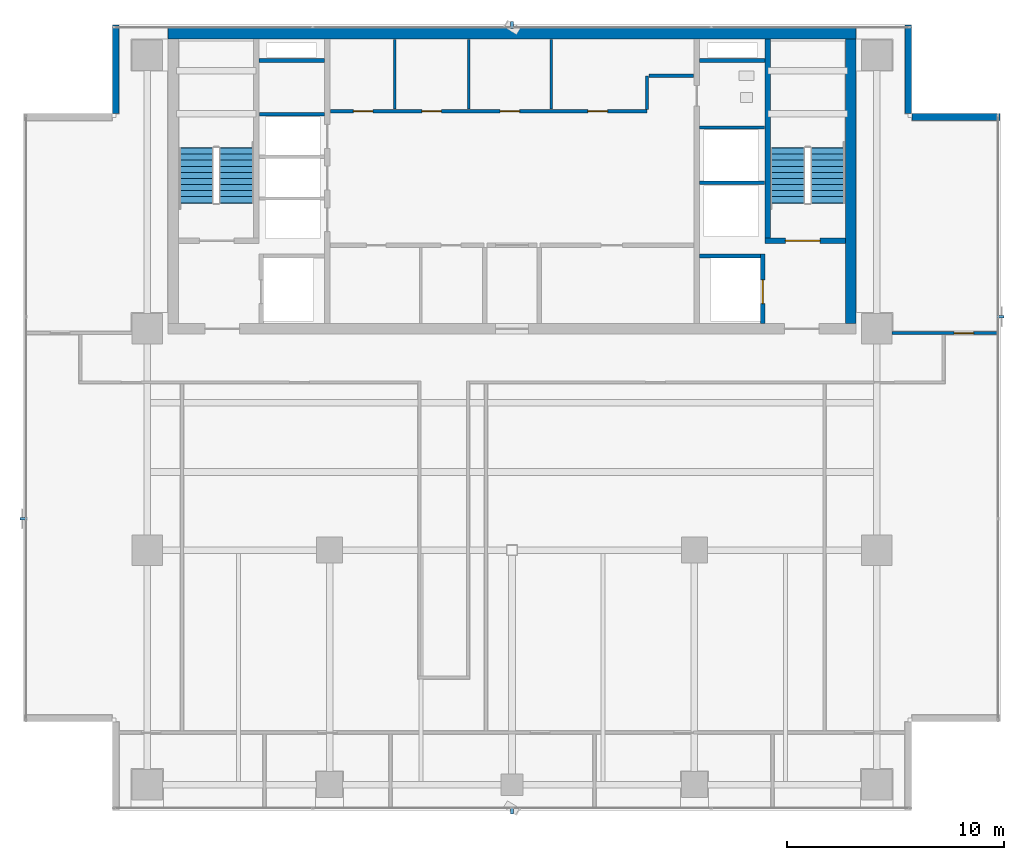
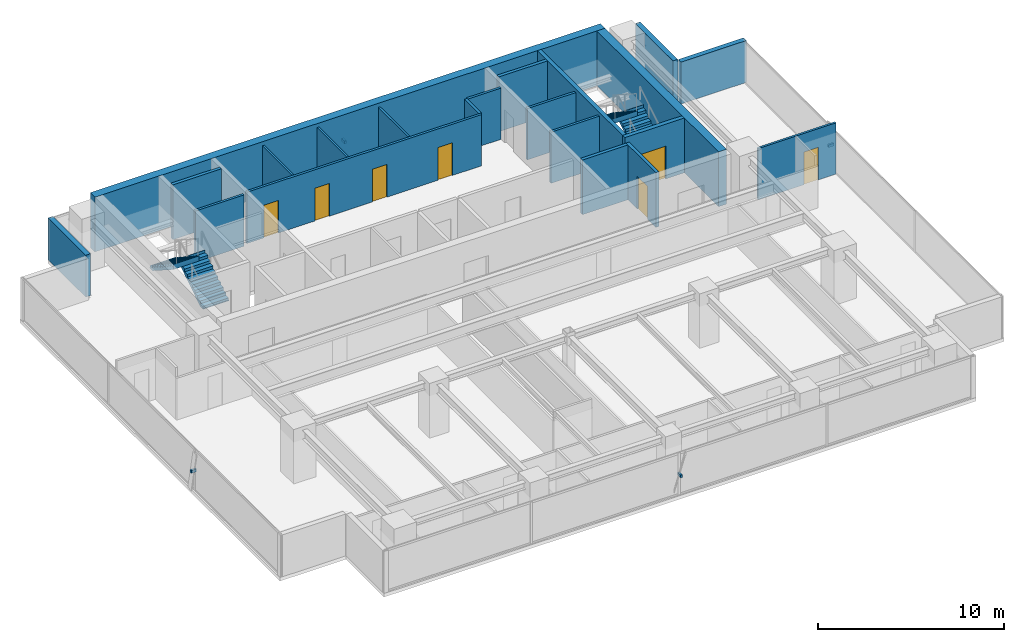
# One storey, part 21 of 25: 21 walls, 7 doors, 4 discrete accessories, 4 stair flights, 7 openings, 2 elements without a shape of their own.
"""IFC4 building model written with IfcOpenShell, lengths in metres."""

from ifc_helpers import new_model, si_unit, direction, frame, frame_2d, origin, origin_2d, place, context, subcontext, project, spatial, polyline, rectangle, outline, extrude, source, transform, mapped, material, layer, layer_set, material_profile, profile_set, type_object, element, fill, aggregate, save


model = new_model("IFC4")

# Units and contexts
model_context = context("Model", 3, precision=1e-05, world=origin(), true_north=direction((0.0, 1.0)))
body_context = subcontext(model_context, "Body", "Model", "MODEL_VIEW")
ifc_project = project(units=[si_unit("LENGTHUNIT", "METRE"), si_unit("AREAUNIT", "SQUARE_METRE"), si_unit("VOLUMEUNIT", "CUBIC_METRE"), si_unit("PLANEANGLEUNIT", "RADIAN"), si_unit("MASSUNIT", "GRAM", prefix="KILO")], contexts=[model_context])

# Site, building, storey
site_placement = place(None, origin())
site = spatial("IfcSite", under=ifc_project, at=site_placement, CompositionType="ELEMENT")
building_placement = place(site_placement, origin())
building = spatial("IfcBuilding", under=site, at=building_placement, Name="Sumidabori Civic Tower", CompositionType="ELEMENT")
storey_placement = place(building_placement, frame((0.0, 0.0, 232.39990234375)))
storey = spatial("IfcBuildingStorey", under=building, at=storey_placement, Name="L60", CompositionType="ELEMENT", Elevation=232.39990234375)

# Walls
ifc_material_1 = material(Name="Concrete C50/60", Category="concrete")
ifc_layer_1 = layer(ifc_material_1, 0.199951171875, Name="Concrete C50/60")
ifc_layer_set_1 = layer_set([ifc_layer_1], Name="Concrete C50/60")
wall_type_1 = type_object("IfcWallType", Name="WL-SHAFT-200", PredefinedType="SHEAR", material=ifc_layer_set_1)
shared_shape_1 = source(origin(), body_context, "Body", "SweptSolid", [
    extrude(rectangle(XDim=2.824951171875, YDim=0.199951171875, at=frame_2d((1.41259765625, 0.0))), origin(), (0.0, 0.0, 1.0), 3.60009765625),
])
wall_1_placement = place(storey_placement, frame((8.625, 13.550048828125, 0.0), z_axis=(0.0, 0.0, 1.0), x_axis=(1.0, 0.0, 0.0)))
element("IfcWall", 1, at=wall_1_placement, inside=storey, type_object=wall_type_1, Name="Core Shear Wall L60 EL2-N", PredefinedType="SHEAR", context=body_context, shape_type="MappedRepresentation", body=[
    mapped(shared_shape_1, transform((0.0, 0.0, 0.0), x_axis=(1.0, 0.0, 0.0), y_axis=(0.0, 1.0, 0.0), z_axis=(0.0, 0.0, 1.0), scale=1.0)),
])
shared_shape_2 = source(origin(), body_context, "Body", "SweptSolid", [
    extrude(rectangle(XDim=3.02001953125, YDim=0.199951171875, at=frame_2d((1.510009765625, 0.0))), origin(), (0.0, 0.0, 1.0), 3.60009765625),
])
for number, where, z_axis, x_axis, name in (
    (2, (-11.64501953125, 22.550048828125, 0.0), (0.0, 0.0, 1.0), (1.0, 0.0, 0.0), "Core Shear Wall L60 RIS1-S"),
    (3, (8.625, 22.550048828125, 0.0), (0.0, 0.0, 1.0), (1.0, 0.0, 0.0), "Core Shear Wall L60 RIS2-S"),
):
    element("IfcWall", number, at=place(storey_placement, frame(where, z_axis=z_axis, x_axis=x_axis)), inside=storey, type_object=wall_type_1, Name=name, PredefinedType="SHEAR", context=body_context, shape_type="MappedRepresentation", body=[
        mapped(shared_shape_2, transform((0.0, 0.0, 0.0), x_axis=(1.0, 0.0, 0.0), y_axis=(0.0, 1.0, 0.0), z_axis=(0.0, 0.0, 1.0), scale=1.0)),
    ])
ifc_layer_2 = layer(ifc_material_1, 0.5, Name="Concrete C50/60")
ifc_layer_set_2 = layer_set([ifc_layer_2], Name="Concrete C50/60")
wall_type_2 = type_object("IfcWallType", Name="WL-CORE-500", PredefinedType="SHEAR", material=ifc_layer_set_2)
shared_shape_3 = source(origin(), body_context, "Body", "SweptSolid", [
    extrude(rectangle(XDim=31.7001953125, YDim=0.5, at=frame_2d((15.85009765625, 0.0))), origin(), (0.0, 0.0, 1.0), 3.60009765625),
])
wall_2_placement = place(storey_placement, frame((-15.85009765625, 23.800048828125, 0.0), z_axis=(0.0, 0.0, 1.0), x_axis=(1.0, 0.0, 0.0)))
element("IfcWall", 4, at=wall_2_placement, inside=storey, type_object=wall_type_2, Name="Core Shear Wall L60 N", PredefinedType="SHEAR", context=body_context, shape_type="MappedRepresentation", body=[
    mapped(shared_shape_3, transform((0.0, 0.0, 0.0), x_axis=(1.0, 0.0, 0.0), y_axis=(0.0, 1.0, 0.0), z_axis=(0.0, 0.0, 1.0), scale=1.0)),
])
shared_shape_4 = source(origin(), body_context, "Body", "SweptSolid", [
    extrude(rectangle(XDim=13.10009765625, YDim=0.5, at=frame_2d((6.550048828125, 0.0))), origin(), (0.0, 0.0, 1.0), 3.60009765625),
])
wall_3_placement = place(storey_placement, frame((15.60009765625, 10.449951171875, 0.0), z_axis=(0.0, 0.0, 1.0), x_axis=(0.0, 1.0, 0.0)))
element("IfcWall", 5, at=wall_3_placement, inside=storey, type_object=wall_type_2, Name="Core Shear Wall L60 E", PredefinedType="SHEAR", context=body_context, shape_type="MappedRepresentation", body=[
    mapped(shared_shape_4, transform((0.0, 0.0, 0.0), x_axis=(1.0, 0.0, 0.0), y_axis=(0.0, 1.0, 0.0), z_axis=(0.0, 0.0, 1.0), scale=1.0)),
])

# Wall, opening, door
ifc_layer_3 = layer(ifc_material_1, 0.25, Name="Concrete C50/60")
ifc_layer_set_3 = layer_set([ifc_layer_3], Name="Concrete C50/60")
wall_type_3 = type_object("IfcWallType", Name="WL-SHAFT-250", PredefinedType="SHEAR", material=ifc_layer_set_3)
shared_shape_5 = source(origin(), body_context, "Body", "SweptSolid", [
    extrude(rectangle(XDim=3.705078125, YDim=0.25, at=frame_2d((1.8525390625, 0.0))), origin(), (0.0, 0.0, 1.0), 3.60009765625),
])
wall_4_placement = place(storey_placement, frame((11.64501953125, 14.25, 0.0), z_axis=(0.0, 0.0, 1.0), x_axis=(1.0, 0.0, 0.0)))
wall_4 = element("IfcWall", 6, at=wall_4_placement, inside=storey, type_object=wall_type_3, Name="Core Shear Wall L60 ST2-S", PredefinedType="SHEAR", context=body_context, shape_type="MappedRepresentation", body=[
    mapped(shared_shape_5, transform((0.0, 0.0, 0.0), x_axis=(1.0, 0.0, 0.0), y_axis=(0.0, 1.0, 0.0), z_axis=(0.0, 0.0, 1.0), scale=1.0)),
])
opening_1_placement = place(wall_4_placement, frame((0.949951171875, 0.0, 0.0)))
opening_1 = element("IfcOpeningElement", 7, at=opening_1_placement, cuts=wall_4, Name="Opening DR-FD4", PredefinedType="OPENING", context=body_context, shape_type="SweptSolid", body=[
    extrude(rectangle(XDim=1.60009765625, YDim=2.14990234375, at=frame_2d((0.800048828125, 1.074951171875))), frame((0.0, 0.136962890625, 0.0), z_axis=(0.0, -1.0, 0.0), x_axis=(1.0, 0.0, 0.0)), (0.0, 0.0, 1.0), 0.27392578125),
])
ifc_material_2 = material(Name="Steel SN490", Category="steel")
door_type_1 = type_object("IfcDoorType", Name="DR-FD4", OperationType="DOUBLE_DOOR_SINGLE_SWING", PredefinedType="DOOR", material=ifc_material_2)
shared_shape_6 = source(origin(), body_context, "Body", "SweptSolid", [
    extrude(rectangle(XDim=1.60009765625, YDim=2.14990234375, at=frame_2d((0.800048828125, 1.074951171875))), frame((0.0, 0.02490234375, 0.0), z_axis=(0.0, -1.0, 0.0), x_axis=(1.0, 0.0, 0.0)), (0.0, 0.0, 1.0), 0.050048828125),
])
door_1_placement = place(opening_1_placement, origin())
door_1 = element("IfcDoor", 8, at=door_1_placement, inside=storey, type_object=door_type_1, Name="Door DR:L60:ST2", OperationType="DOUBLE_DOOR_SINGLE_SWING", OverallHeight=2.14990234375, OverallWidth=1.60009765625, PredefinedType="DOOR", context=body_context, shape_type="MappedRepresentation", body=[
    mapped(shared_shape_6, transform((0.0, 0.0, 0.0), x_axis=(1.0, 0.0, 0.0), y_axis=(0.0, 1.0, 0.0), z_axis=(0.0, 0.0, 1.0), scale=1.0)),
])
fill(opening_1, door_1)

# Wall
shared_shape_7 = source(origin(), body_context, "Body", "SweptSolid", [
    extrude(rectangle(XDim=9.175048828125, YDim=0.25, at=frame_2d((4.58740234375, 0.0))), origin(), (0.0, 0.0, 1.0), 3.60009765625),
])
wall_5_placement = place(storey_placement, frame((11.77001953125, 14.375, 0.0), z_axis=(0.0, 0.0, 1.0), x_axis=(0.0, 1.0, 0.0)))
element("IfcWall", 9, at=wall_5_placement, inside=storey, type_object=wall_type_3, Name="Core Shear Wall L60 ST2-W", PredefinedType="SHEAR", context=body_context, shape_type="MappedRepresentation", body=[
    mapped(shared_shape_7, transform((0.0, 0.0, 0.0), x_axis=(1.0, 0.0, 0.0), y_axis=(0.0, 1.0, 0.0), z_axis=(0.0, 0.0, 1.0), scale=1.0)),
])

# Wall, opening, door
shared_shape_8 = source(origin(), body_context, "Body", "SweptSolid", [
    extrude(rectangle(XDim=3.199951171875, YDim=0.199951171875, at=frame_2d((1.60009765625, 0.0))), origin(), (0.0, 0.0, 1.0), 3.60009765625),
])
wall_6_placement = place(storey_placement, frame((11.550048828125, 10.449951171875, 0.0), z_axis=(0.0, 0.0, 1.0), x_axis=(0.0, 1.0, 0.0)))
wall_6 = element("IfcWall", 10, at=wall_6_placement, inside=storey, type_object=wall_type_1, Name="Core Shear Wall L60 EL2-E", PredefinedType="SHEAR", context=body_context, shape_type="MappedRepresentation", body=[
    mapped(shared_shape_8, transform((0.0, 0.0, 0.0), x_axis=(1.0, 0.0, 0.0), y_axis=(0.0, 1.0, 0.0), z_axis=(0.0, 0.0, 1.0), scale=1.0)),
])
opening_2_placement = place(wall_6_placement, frame((0.89990234375, 0.0, 0.0)))
opening_2 = element("IfcOpeningElement", 11, at=opening_2_placement, cuts=wall_6, Name="Opening LD-2", PredefinedType="OPENING", context=body_context, shape_type="SweptSolid", body=[
    extrude(rectangle(XDim=1.10009765625, YDim=2.14990234375, at=frame_2d((0.550048828125, 1.074951171875))), frame((0.0, 0.11181640625, 0.0), z_axis=(0.0, -1.0, 0.0), x_axis=(1.0, 0.0, 0.0)), (0.0, 0.0, 1.0), 0.223876953125),
])
ifc_material_3 = material(Name="Stainless Steel Hairline Finish", Category="steel")
door_type_2 = type_object("IfcDoorType", Name="DR-LD2", OperationType="DOUBLE_DOOR_SLIDING", PredefinedType="DOOR", material=ifc_material_3)
shared_shape_9 = source(origin(), body_context, "Body", "SweptSolid", [
    extrude(rectangle(XDim=1.10009765625, YDim=2.14990234375, at=frame_2d((0.550048828125, 1.074951171875))), frame((0.0, 0.02490234375, 0.0), z_axis=(0.0, -1.0, 0.0), x_axis=(1.0, 0.0, 0.0)), (0.0, 0.0, 1.0), 0.050048828125),
])
door_2_placement = place(opening_2_placement, origin())
door_2 = element("IfcDoor", 12, at=door_2_placement, inside=storey, type_object=door_type_2, Name="Door DR:L60:LD-EL2", OperationType="DOUBLE_DOOR_SLIDING", OverallHeight=2.14990234375, OverallWidth=1.10009765625, PredefinedType="DOOR", context=body_context, shape_type="MappedRepresentation", body=[
    mapped(shared_shape_9, transform((0.0, 0.0, 0.0), x_axis=(1.0, 0.0, 0.0), y_axis=(0.0, 1.0, 0.0), z_axis=(0.0, 0.0, 1.0), scale=1.0)),
])
fill(opening_2, door_2)

# Walls
ifc_material_4 = material(Name="Precast concrete C40/50", Category="concrete")
ifc_layer_4 = layer(ifc_material_4, 0.300048828125, Name="Precast concrete C40/50")
ifc_layer_set_4 = layer_set([ifc_layer_4], Name="Precast concrete C40/50")
wall_type_4 = type_object("IfcWallType", Name="WL-EXT-POD300", PredefinedType="STANDARD", material=ifc_layer_set_4)
shared_shape_10 = source(origin(), body_context, "Body", "SweptSolid", [
    extrude(rectangle(XDim=4.06005859375, YDim=0.300048828125, at=frame_2d((2.030029296875, 0.0))), origin(), (0.0, 0.0, 1.0), 2.75),
])
wall_7_placement = place(storey_placement, frame((22.47998046875, 19.949951171875, 0.0), z_axis=(0.0, 0.0, 1.0), x_axis=(-1.0, 0.0, 0.0)))
element("IfcWall", 13, at=wall_7_placement, inside=storey, type_object=wall_type_4, Name="Notched Corner Spandrel Band L60-05", PredefinedType="STANDARD", context=body_context, shape_type="MappedRepresentation", body=[
    mapped(shared_shape_10, transform((0.0, 0.0, 0.0), x_axis=(1.0, 0.0, 0.0), y_axis=(0.0, 1.0, 0.0), z_axis=(0.0, 0.0, 1.0), scale=1.0)),
])
shared_shape_11 = source(origin(), body_context, "Body", "SweptSolid", [
    extrude(rectangle(XDim=4.059814453125, YDim=0.300048828125, at=frame_2d((2.02978515625, 0.0))), origin(), (0.0, 0.0, 1.0), 2.75),
])
for number, where, z_axis, x_axis, name in (
    (14, (18.25, 20.1201171875, 0.0), (0.0, 0.0, 1.0), (0.0, 1.0, 0.0), "Notched Corner Spandrel Band L60-06"),
    (15, (-18.25, 24.179931640625, 0.0), (0.0, 0.0, 1.0), (0.0, -1.0, 0.0), "Notched Corner Spandrel Band L60-08"),
):
    element("IfcWall", number, at=place(storey_placement, frame(where, z_axis=z_axis, x_axis=x_axis)), inside=storey, type_object=wall_type_4, Name=name, PredefinedType="STANDARD", context=body_context, shape_type="MappedRepresentation", body=[
        mapped(shared_shape_11, transform((0.0, 0.0, 0.0), x_axis=(1.0, 0.0, 0.0), y_axis=(0.0, 1.0, 0.0), z_axis=(0.0, 0.0, 1.0), scale=1.0)),
    ])
ifc_material_5 = material(Name="Gypsum Plasterboard Acoustic Partition")
ifc_layer_5 = layer(ifc_material_5, 0.14990234375, Name="Gypsum Plasterboard Acoustic Partition")
ifc_layer_set_5 = layer_set([ifc_layer_5], Name="Gypsum Plasterboard Acoustic Partition")
wall_type_5 = type_object("IfcWallType", Name="WL-PART-150", PredefinedType="PARTITIONING", material=ifc_layer_set_5)
shared_shape_12 = source(origin(), body_context, "Body", "SweptSolid", [
    extrude(rectangle(XDim=3.010009765625, YDim=0.14990234375, at=frame_2d((1.5048828125, 0.0))), origin(), (0.0, 0.0, 1.0), 3.3701171875),
])
for number, where, z_axis, x_axis, name in (
    (16, (-11.639892578125, 20.080078125, 0.0), (0.0, 0.0, 1.0), (1.0, 0.0, 0.0), "Interior Partition WL:L60:DIV-PLH3"),
    (17, (8.6298828125, 16.919921875, 0.0), (0.0, 0.0, 1.0), (1.0, 0.0, 0.0), "Interior Partition WL:L60:DIV-OBS1"),
    (18, (8.6298828125, 19.469970703125, 0.0), (0.0, 0.0, 1.0), (1.0, 0.0, 0.0), "Interior Partition WL:L60:DIV-OBS2"),
):
    element("IfcWall", number, at=place(storey_placement, frame(where, z_axis=z_axis, x_axis=x_axis)), inside=storey, type_object=wall_type_5, Name=name, PredefinedType="PARTITIONING", context=body_context, shape_type="MappedRepresentation", body=[
        mapped(shared_shape_12, transform((0.0, 0.0, 0.0), x_axis=(1.0, 0.0, 0.0), y_axis=(0.0, 1.0, 0.0), z_axis=(0.0, 0.0, 1.0), scale=1.0)),
    ])

# Wall, openings, doors
shared_shape_13 = source(origin(), body_context, "Body", "SweptSolid", [
    extrude(rectangle(XDim=14.590087890625, YDim=0.14990234375, at=frame_2d((7.294921875, 0.0))), origin(), (0.0, 0.0, 1.0), 3.3701171875),
])
wall_8_placement = place(storey_placement, frame((-8.3701171875, 20.219970703125, 0.0), z_axis=(0.0, 0.0, 1.0), x_axis=(1.0, 0.0, 0.0)))
wall_8 = element("IfcWall", 19, at=wall_8_placement, inside=storey, type_object=wall_type_5, Name="Interior Partition WL:L60:CBAND-M", PredefinedType="PARTITIONING", context=body_context, shape_type="MappedRepresentation", body=[
    mapped(shared_shape_13, transform((0.0, 0.0, 0.0), x_axis=(1.0, 0.0, 0.0), y_axis=(0.0, 1.0, 0.0), z_axis=(0.0, 0.0, 1.0), scale=1.0)),
])
opening_3_placement = place(wall_8_placement, frame((1.06005859375, 0.0, 0.0)))
opening_3 = element("IfcOpeningElement", 20, at=opening_3_placement, cuts=wall_8, Name="Opening DR-1", PredefinedType="OPENING", context=body_context, shape_type="SweptSolid", body=[
    extrude(rectangle(XDim=0.89990234375, YDim=2.14990234375, at=frame_2d((0.449951171875, 1.074951171875))), frame((0.0, 0.0869140625, 0.0), z_axis=(0.0, -1.0, 0.0), x_axis=(1.0, 0.0, 0.0)), (0.0, 0.0, 1.0), 0.173828125),
])
opening_4_placement = place(wall_8_placement, frame((4.219970703125, 0.0, 0.0)))
opening_4 = element("IfcOpeningElement", 21, at=opening_4_placement, cuts=wall_8, Name="Opening DR-1", PredefinedType="OPENING", context=body_context, shape_type="SweptSolid", body=[
    extrude(rectangle(XDim=0.89990234375, YDim=2.14990234375, at=frame_2d((0.449951171875, 1.074951171875))), frame((0.0, 0.0869140625, 0.0), z_axis=(0.0, -1.0, 0.0), x_axis=(1.0, 0.0, 0.0)), (0.0, 0.0, 1.0), 0.173828125),
])
opening_5_placement = place(wall_8_placement, frame((7.820068359375, 0.0, 0.0)))
opening_5 = element("IfcOpeningElement", 22, at=opening_5_placement, cuts=wall_8, Name="Opening DR-1", PredefinedType="OPENING", context=body_context, shape_type="SweptSolid", body=[
    extrude(rectangle(XDim=0.89990234375, YDim=2.14990234375, at=frame_2d((0.449951171875, 1.074951171875))), frame((0.0, 0.0869140625, 0.0), z_axis=(0.0, -1.0, 0.0), x_axis=(1.0, 0.0, 0.0)), (0.0, 0.0, 1.0), 0.173828125),
])
opening_6_placement = place(wall_8_placement, frame((11.8701171875, 0.0, 0.0)))
opening_6 = element("IfcOpeningElement", 23, at=opening_6_placement, cuts=wall_8, Name="Opening DR-1", PredefinedType="OPENING", context=body_context, shape_type="SweptSolid", body=[
    extrude(rectangle(XDim=0.89990234375, YDim=2.14990234375, at=frame_2d((0.449951171875, 1.074951171875))), frame((0.0, 0.0869140625, 0.0), z_axis=(0.0, -1.0, 0.0), x_axis=(1.0, 0.0, 0.0)), (0.0, 0.0, 1.0), 0.173828125),
])
ifc_material_6 = material(Name="Japanese Hinoki Timber", Category="wood")
door_type_3 = type_object("IfcDoorType", Name="DR-INT-900", OperationType="NOTDEFINED", PredefinedType="DOOR", material=ifc_material_6)
shared_shape_14 = source(origin(), body_context, "Body", "SweptSolid", [
    extrude(rectangle(XDim=0.89990234375, YDim=2.14990234375, at=frame_2d((0.449951171875, 1.074951171875))), frame((0.0, 0.02490234375, 0.0), z_axis=(0.0, -1.0, 0.0), x_axis=(1.0, 0.0, 0.0)), (0.0, 0.0, 1.0), 0.050048828125),
])
door_3_placement = place(opening_3_placement, origin())
door_3 = element("IfcDoor", 24, at=door_3_placement, inside=storey, type_object=door_type_3, Name="Door DR:L60:CB-1", OperationType="SINGLE_SWING_LEFT", OverallHeight=2.14990234375, OverallWidth=0.89990234375, PredefinedType="DOOR", context=body_context, shape_type="MappedRepresentation", body=[
    mapped(shared_shape_14, transform((0.0, 0.0, 0.0), x_axis=(1.0, 0.0, 0.0), y_axis=(0.0, 1.0, 0.0), z_axis=(0.0, 0.0, 1.0), scale=1.0)),
])
fill(opening_3, door_3)
door_4_placement = place(opening_4_placement, origin())
door_4 = element("IfcDoor", 25, at=door_4_placement, inside=storey, type_object=door_type_3, Name="Door DR:L60:CB-2", OperationType="SINGLE_SWING_RIGHT", OverallHeight=2.14990234375, OverallWidth=0.89990234375, PredefinedType="DOOR", context=body_context, shape_type="MappedRepresentation", body=[
    mapped(shared_shape_14, transform((0.0, 0.0, 0.0), x_axis=(1.0, 0.0, 0.0), y_axis=(0.0, 1.0, 0.0), z_axis=(0.0, 0.0, 1.0), scale=1.0)),
])
fill(opening_4, door_4)
door_5_placement = place(opening_5_placement, origin())
door_5 = element("IfcDoor", 26, at=door_5_placement, inside=storey, type_object=door_type_3, Name="Door DR:L60:CB-3", OperationType="SINGLE_SWING_LEFT", OverallHeight=2.14990234375, OverallWidth=0.89990234375, PredefinedType="DOOR", context=body_context, shape_type="MappedRepresentation", body=[
    mapped(shared_shape_14, transform((0.0, 0.0, 0.0), x_axis=(1.0, 0.0, 0.0), y_axis=(0.0, 1.0, 0.0), z_axis=(0.0, 0.0, 1.0), scale=1.0)),
])
fill(opening_5, door_5)
door_6_placement = place(opening_6_placement, origin())
door_6 = element("IfcDoor", 27, at=door_6_placement, inside=storey, type_object=door_type_3, Name="Door DR:L60:CB-4", OperationType="SINGLE_SWING_RIGHT", OverallHeight=2.14990234375, OverallWidth=0.89990234375, PredefinedType="DOOR", context=body_context, shape_type="MappedRepresentation", body=[
    mapped(shared_shape_14, transform((0.0, 0.0, 0.0), x_axis=(1.0, 0.0, 0.0), y_axis=(0.0, 1.0, 0.0), z_axis=(0.0, 0.0, 1.0), scale=1.0)),
])
fill(opening_6, door_6)

# Walls
shared_shape_15 = source(origin(), body_context, "Body", "SweptSolid", [
    extrude(rectangle(XDim=1.550048828125, YDim=0.14990234375, at=frame_2d((0.77490234375, 0.0))), origin(), (0.0, 0.0, 1.0), 3.3701171875),
])
wall_9_placement = place(storey_placement, frame((6.219970703125, 20.300048828125, 0.0), z_axis=(0.0, 0.0, 1.0), x_axis=(0.0, 1.0, 0.0)))
element("IfcWall", 28, at=wall_9_placement, inside=storey, type_object=wall_type_5, Name="Interior Partition WL:L60:CBAND-ME1", PredefinedType="PARTITIONING", context=body_context, shape_type="MappedRepresentation", body=[
    mapped(shared_shape_15, transform((0.0, 0.0, 0.0), x_axis=(1.0, 0.0, 0.0), y_axis=(0.0, 1.0, 0.0), z_axis=(0.0, 0.0, 1.0), scale=1.0)),
])
shared_shape_16 = source(origin(), body_context, "Body", "SweptSolid", [
    extrude(rectangle(XDim=2.070068359375, YDim=0.14990234375, at=frame_2d((1.03515625, 0.0))), origin(), (0.0, 0.0, 1.0), 3.3701171875),
])
wall_10_placement = place(storey_placement, frame((6.300048828125, 21.85009765625, 0.0), z_axis=(0.0, 0.0, 1.0), x_axis=(1.0, 0.0, 0.0)))
element("IfcWall", 29, at=wall_10_placement, inside=storey, type_object=wall_type_5, Name="Interior Partition WL:L60:CBAND-ME2", PredefinedType="PARTITIONING", context=body_context, shape_type="MappedRepresentation", body=[
    mapped(shared_shape_16, transform((0.0, 0.0, 0.0), x_axis=(1.0, 0.0, 0.0), y_axis=(0.0, 1.0, 0.0), z_axis=(0.0, 0.0, 1.0), scale=1.0)),
])
ifc_layer_6 = layer(ifc_material_5, 0.1201171875, Name="Gypsum Plasterboard Acoustic Partition")
ifc_layer_set_6 = layer_set([ifc_layer_6], Name="Gypsum Plasterboard Acoustic Partition")
wall_type_6 = type_object("IfcWallType", Name="WL-PART-120", PredefinedType="PARTITIONING", material=ifc_layer_set_6)
shared_shape_17 = source(origin(), body_context, "Body", "SweptSolid", [
    extrude(rectangle(XDim=3.18994140625, YDim=0.1201171875, at=frame_2d((1.594970703125, 0.0))), origin(), (0.0, 0.0, 1.0), 3.3701171875),
])
for number, where, z_axis, x_axis, name in (
    (30, (-5.39990234375, 20.320068359375, 0.0), (0.0, 0.0, 1.0), (0.0, 1.0, 0.0), "Interior Partition WL:L60:LV8-S1"),
    (31, (-2.0, 20.320068359375, 0.0), (0.0, 0.0, 1.0), (0.0, 1.0, 0.0), "Interior Partition WL:L60:LV8-S2"),
    (32, (1.800048828125, 20.320068359375, 0.0), (0.0, 0.0, 1.0), (0.0, 1.0, 0.0), "Interior Partition WL:L60:LV8-S3"),
):
    element("IfcWall", number, at=place(storey_placement, frame(where, z_axis=z_axis, x_axis=x_axis)), inside=storey, type_object=wall_type_6, Name=name, PredefinedType="PARTITIONING", context=body_context, shape_type="MappedRepresentation", body=[
        mapped(shared_shape_17, transform((0.0, 0.0, 0.0), x_axis=(1.0, 0.0, 0.0), y_axis=(0.0, 1.0, 0.0), z_axis=(0.0, 0.0, 1.0), scale=1.0)),
    ])

# Wall, opening, door
ifc_layer_7 = layer(ifc_material_5, 0.135009765625, Name="Gypsum Plasterboard Acoustic Partition")
ifc_layer_set_7 = layer_set([ifc_layer_7], Name="Gypsum Plasterboard Acoustic Partition")
wall_type_7 = type_object("IfcWallType", Name="WL-PART-135", PredefinedType="PARTITIONING", material=ifc_layer_set_7)
shared_shape_18 = source(origin(), body_context, "Body", "SweptSolid", [
    extrude(rectangle(XDim=4.840087890625, YDim=0.135009765625, at=frame_2d((2.419921875, 0.0))), origin(), (0.0, 0.0, 1.0), 3.3701171875),
])
wall_11_placement = place(storey_placement, frame((17.510009765625, 10.0, 0.0), z_axis=(0.0, 0.0, 1.0), x_axis=(1.0, 0.0, 0.0)))
wall_11 = element("IfcWall", 33, at=wall_11_placement, inside=storey, type_object=wall_type_7, Name="Interior Partition WL:L60:FLK-NE", PredefinedType="PARTITIONING", context=body_context, shape_type="MappedRepresentation", body=[
    mapped(shared_shape_18, transform((0.0, 0.0, 0.0), x_axis=(1.0, 0.0, 0.0), y_axis=(0.0, 1.0, 0.0), z_axis=(0.0, 0.0, 1.0), scale=1.0)),
])
opening_7_placement = place(wall_11_placement, frame((2.85009765625, 0.0, 0.0)))
opening_7 = element("IfcOpeningElement", 34, at=opening_7_placement, cuts=wall_11, Name="Opening DR-1", PredefinedType="OPENING", context=body_context, shape_type="SweptSolid", body=[
    extrude(rectangle(XDim=0.89990234375, YDim=2.14990234375, at=frame_2d((0.449951171875, 1.074951171875))), frame((0.0, 0.07958984375, 0.0), z_axis=(0.0, -1.0, 0.0), x_axis=(1.0, 0.0, 0.0)), (0.0, 0.0, 1.0), 0.158935546875),
])
door_7_placement = place(opening_7_placement, origin())
door_7 = element("IfcDoor", 35, at=door_7_placement, inside=storey, type_object=door_type_3, Name="Door DR:L60:D06", OperationType="SINGLE_SWING_RIGHT", OverallHeight=2.14990234375, OverallWidth=0.89990234375, PredefinedType="DOOR", context=body_context, shape_type="MappedRepresentation", body=[
    mapped(shared_shape_14, transform((0.0, 0.0, 0.0), x_axis=(1.0, 0.0, 0.0), y_axis=(0.0, 1.0, 0.0), z_axis=(0.0, 0.0, 1.0), scale=1.0)),
])
fill(opening_7, door_7)

# Stair, stair flights
ifc_material_7 = material(Name="Concrete C40/50", Category="concrete")
stair_type = type_object("IfcStairType", Name="ST-CORE-1600", PredefinedType="HALF_TURN_STAIR", material=ifc_material_7)
stair_1_placement = place(storey_placement, origin())
stair_1 = element("IfcStair", 36, at=stair_1_placement, inside=storey, type_object=stair_type, Name="L60 ST-1", PredefinedType="HALF_TURN_STAIR")
stair_flight_type = type_object("IfcStairFlightType", Name="SF-CORE-1600", PredefinedType="STRAIGHT", material=ifc_material_7)
shared_shape_19 = source(origin(), body_context, "Body", "SweptSolid", [
    extrude(outline(polyline([(-0.02490234375, 0.0), (-0.02490234375, 0.0400390625), (0.0, 0.0400390625), (0.0, 0.179931640625), (0.280029296875, 0.179931640625), (0.280029296875, 0.360107421875), (0.56005859375, 0.360107421875), (0.56005859375, 0.5400390625), (0.840087890625, 0.5400390625), (0.840087890625, 0.719970703125), (1.1201171875, 0.719970703125), (1.1201171875, 0.89990234375), (1.39990234375, 0.89990234375), (1.39990234375, 1.080078125), (1.679931640625, 1.080078125), (1.679931640625, 1.260009765625), (1.9599609375, 1.260009765625), (1.9599609375, 1.43994140625), (2.239990234375, 1.43994140625), (2.239990234375, 1.6201171875), (2.52001953125, 1.6201171875), (2.52001953125, 1.800048828125), (2.544921875, 1.800048828125), (2.544921875, 1.650146484375), (2.52001953125, 1.44189453125), (0.277099609375, 0.0), (-0.02490234375, 0.0)])), frame((0.0, 0.800048828125, 0.0), z_axis=(0.0, -1.0, 0.0), x_axis=(1.0, 0.0, 0.0)), (0.0, 0.0, 1.0), 1.60009765625),
])
stair_flight_1_placement = place(storey_placement, frame((-12.699951171875, 16.0, 0.0), z_axis=(0.0, 0.0, 1.0), x_axis=(0.0, 1.0, 0.0)))
stair_flight_1 = element("IfcStairFlight", 37, at=stair_flight_1_placement, type_object=stair_flight_type, Name="ST-1 flight 1", NumberOfRisers=10, NumberOfTreads=9, PredefinedType="STRAIGHT", RiserHeight=0.18, TreadLength=0.28, context=body_context, shape_type="MappedRepresentation", body=[
    mapped(shared_shape_19, transform((0.0, 0.0, 0.0), x_axis=(1.0, 0.0, 0.0), y_axis=(0.0, 1.0, 0.0), z_axis=(0.0, 0.0, 1.0), scale=1.0)),
])
stair_flight_2_placement = place(storey_placement, frame((-14.5400390625, 18.52001953125, 1.800048828125), z_axis=(0.0, 0.0, 1.0), x_axis=(0.0, -1.0, 0.0)))
stair_flight_2 = element("IfcStairFlight", 38, at=stair_flight_2_placement, type_object=stair_flight_type, Name="ST-1 flight 2", NumberOfRisers=10, NumberOfTreads=9, PredefinedType="STRAIGHT", RiserHeight=0.18, TreadLength=0.28, context=body_context, shape_type="MappedRepresentation", body=[
    mapped(shared_shape_19, transform((0.0, 0.0, 0.0), x_axis=(1.0, 0.0, 0.0), y_axis=(0.0, 1.0, 0.0), z_axis=(0.0, 0.0, 1.0), scale=1.0)),
])
aggregate(stair_1, [stair_flight_1, stair_flight_2])

stair_2_placement = place(storey_placement, origin())
stair_2 = element("IfcStair", 39, at=stair_2_placement, inside=storey, type_object=stair_type, Name="L60 ST-2", PredefinedType="HALF_TURN_STAIR")
stair_flight_3_placement = place(storey_placement, frame((14.5400390625, 16.0, 0.0), z_axis=(0.0, 0.0, 1.0), x_axis=(0.0, 1.0, 0.0)))
stair_flight_3 = element("IfcStairFlight", 40, at=stair_flight_3_placement, type_object=stair_flight_type, Name="ST-2 flight 1", NumberOfRisers=10, NumberOfTreads=9, PredefinedType="STRAIGHT", RiserHeight=0.18, TreadLength=0.28, context=body_context, shape_type="MappedRepresentation", body=[
    mapped(shared_shape_19, transform((0.0, 0.0, 0.0), x_axis=(1.0, 0.0, 0.0), y_axis=(0.0, 1.0, 0.0), z_axis=(0.0, 0.0, 1.0), scale=1.0)),
])
stair_flight_4_placement = place(storey_placement, frame((12.699951171875, 18.52001953125, 1.800048828125), z_axis=(0.0, 0.0, 1.0), x_axis=(0.0, -1.0, 0.0)))
stair_flight_4 = element("IfcStairFlight", 41, at=stair_flight_4_placement, type_object=stair_flight_type, Name="ST-2 flight 2", NumberOfRisers=10, NumberOfTreads=9, PredefinedType="STRAIGHT", RiserHeight=0.18, TreadLength=0.28, context=body_context, shape_type="MappedRepresentation", body=[
    mapped(shared_shape_19, transform((0.0, 0.0, 0.0), x_axis=(1.0, 0.0, 0.0), y_axis=(0.0, 1.0, 0.0), z_axis=(0.0, 0.0, 1.0), scale=1.0)),
])
aggregate(stair_2, [stair_flight_3, stair_flight_4])

# Discrete accessories
ifc_material_profile = material_profile(ifc_material_3, rectangle(XDim=0.1201171875, YDim=0.179931640625, at=origin_2d()), Name="STEEL BRACKET 180x120")
ifc_profile_set = profile_set([ifc_material_profile], Name="Stainless Steel Hairline Finish")
discrete_accessory_type = type_object("IfcDiscreteAccessoryType", Name="AC-BRK-180", PredefinedType="BRACKET", material=ifc_profile_set)
shared_shape_20 = source(origin(), body_context, "Body", "SweptSolid", [
    extrude(rectangle(XDim=0.1201171875, YDim=0.179931640625, at=origin_2d()), origin(), (0.0, 0.0, 1.0), 0.329833984375),
])
for number, where, z_axis, x_axis, name in (
    (42, (0.0, -11.830078125, 1.364990234375), (0.0, -1.0, 0.0), (1.0, 0.0, 0.0), "Bronze Fin Fixing Bracket L60-02"),
    (43, (22.330078125, 10.756591796875, 1.364990234375), (1.0, 0.0, 0.0), (0.0, 1.0, 0.0), "Bronze Fin Fixing Bracket L60-02"),
    (44, (-22.330078125, 1.443359375, 1.364990234375), (-1.0, 0.0, 0.0), (0.0, -1.0, 0.0), "Bronze Fin Fixing Bracket L60-02"),
):
    element("IfcDiscreteAccessory", number, at=place(storey_placement, frame(where, z_axis=z_axis, x_axis=x_axis)), inside=storey, type_object=discrete_accessory_type, Name=name, PredefinedType="BRACKET", context=body_context, shape_type="MappedRepresentation", body=[
        mapped(shared_shape_20, transform((0.0, 0.0, 0.0), x_axis=(1.0, 0.0, 0.0), y_axis=(0.0, 1.0, 0.0), z_axis=(0.0, 0.0, 1.0), scale=1.0)),
    ])
shared_shape_21 = source(origin(), body_context, "Body", "SweptSolid", [
    extrude(rectangle(XDim=0.1201171875, YDim=0.179931640625, at=origin_2d()), origin(), (0.0, 0.0, 1.0), 0.330078125),
])
discrete_accessory_placement = place(storey_placement, frame((0.0, 24.030029296875, 1.364990234375), z_axis=(0.0, 1.0, 0.0), x_axis=(-1.0, 0.0, 0.0)))
element("IfcDiscreteAccessory", 45, at=discrete_accessory_placement, inside=storey, type_object=discrete_accessory_type, Name="Bronze Fin Fixing Bracket L60-02", PredefinedType="BRACKET", context=body_context, shape_type="MappedRepresentation", body=[
    mapped(shared_shape_21, transform((0.0, 0.0, 0.0), x_axis=(1.0, 0.0, 0.0), y_axis=(0.0, 1.0, 0.0), z_axis=(0.0, 0.0, 1.0), scale=1.0)),
])

save(model, "model.ifc")
